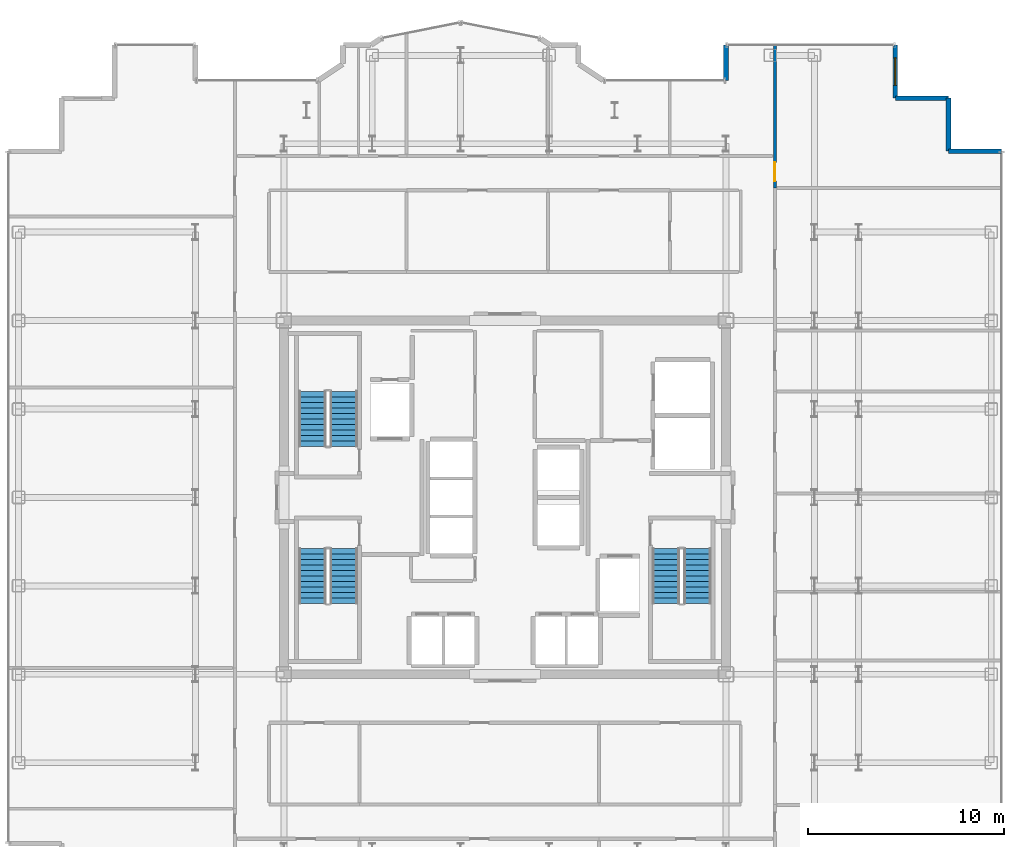
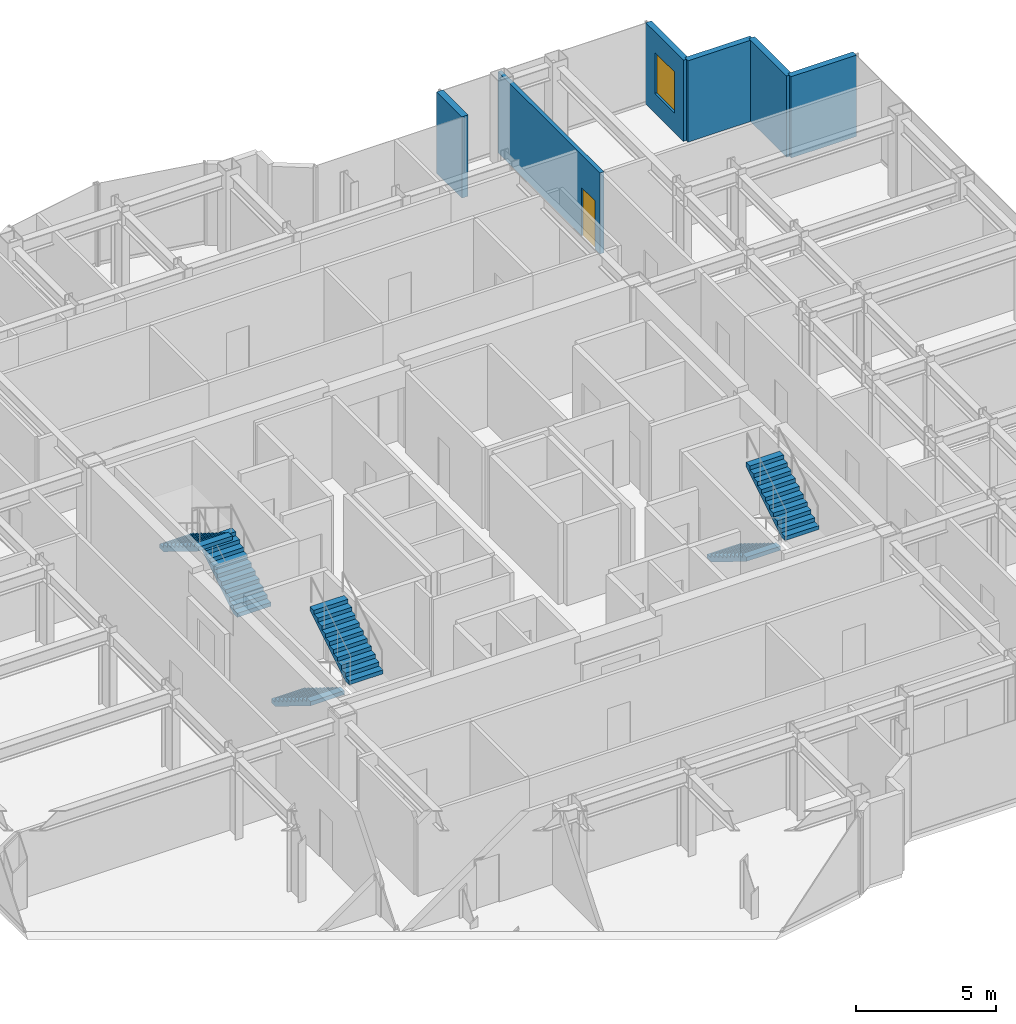
# One storey, part 19 of 20: 6 stair flights, 6 walls, 1 door, 1 window, 2 openings, 3 elements without a shape of their own.
"""IFC4 building model written with IfcOpenShell, lengths in metres."""

from ifc_helpers import new_model, si_unit, direction, frame, frame_2d, origin, place, context, subcontext, project, spatial, polyline, rectangle, outline, extrude, source, transform, mapped, material, layer, layer_set, type_object, element, fill, aggregate, save


model = new_model("IFC4")

# Units and contexts
model_context = context("Model", 3, precision=1e-05, world=origin(), true_north=direction((0.0, 1.0)))
body_context = subcontext(model_context, "Body", "Model", "MODEL_VIEW")
ifc_project = project(units=[si_unit("LENGTHUNIT", "METRE"), si_unit("AREAUNIT", "SQUARE_METRE"), si_unit("VOLUMEUNIT", "CUBIC_METRE"), si_unit("PLANEANGLEUNIT", "RADIAN"), si_unit("MASSUNIT", "GRAM", prefix="KILO")], contexts=[model_context])

# Site, building, storey
site_placement = place(None, origin())
site = spatial("IfcSite", under=ifc_project, at=site_placement, CompositionType="ELEMENT")
building_placement = place(site_placement, origin())
building = spatial("IfcBuilding", under=site, at=building_placement, Name="Nefas-Gora Pilgrimage Tower", CompositionType="ELEMENT")
storey_placement = place(building_placement, frame((0.0, 0.0, 244.60009765625)))
storey = spatial("IfcBuildingStorey", under=building, at=storey_placement, Name="L61", CompositionType="ELEMENT", Elevation=244.60009765625)

# Walls
ifc_material_1 = material(Name="Precast concrete C40/50", Category="concrete")
ifc_layer_1 = layer(ifc_material_1, 0.260009765625)
ifc_layer_set_1 = layer_set([ifc_layer_1], Name="Precast concrete C40/50")
wall_type_1 = type_object("IfcWallType", Name="EW-PORTAL-260", PredefinedType="SOLIDWALL", material=ifc_layer_set_1)
shared_shape_1 = source(origin(), body_context, "Body", "SweptSolid", [
    extrude(rectangle(XDim=1.800048828125, YDim=0.260009765625, at=frame_2d((0.89990234375, 0.0))), origin(), (0.0, 0.0, 1.0), 3.5498046875),
])
wall_1_placement = place(storey_placement, frame((11.25, 23.02001953125, 0.0), z_axis=(0.0, 0.0, 1.0), x_axis=(0.0, -1.0, 0.0)))
element("IfcWall", 1, at=wall_1_placement, inside=storey, type_object=wall_type_1, Name="L61 Lobe Shoulder Precast Spandrel Pier 10", PredefinedType="SOLIDWALL", context=body_context, shape_type="MappedRepresentation", body=[
    mapped(shared_shape_1, transform((0.0, 0.0, 0.0), x_axis=(1.0, 0.0, 0.0), y_axis=(0.0, 1.0, 0.0), z_axis=(0.0, 0.0, 1.0), scale=1.0)),
])
ifc_material_2 = material(Name="Precast concrete C45/55", Category="concrete")
ifc_layer_2 = layer(ifc_material_2, 0.239990234375)
ifc_layer_set_2 = layer_set([ifc_layer_2], Name="Precast concrete C45/55")
wall_type_2 = type_object("IfcWallType", Name="EW-SERR-240", PredefinedType="SHEAR", material=ifc_layer_set_2)
shared_shape_2 = source(origin(), body_context, "Body", "SweptSolid", [
    extrude(rectangle(XDim=2.699951171875, YDim=0.239990234375, at=frame_2d((1.35009765625, 0.0))), origin(), (0.0, 0.0, 1.0), 3.5498046875),
])
for number, where, z_axis, x_axis, name in (
    (2, (25.27001953125, 17.6201171875, 0.0), (0.0, 0.0, 1.0), (-1.0, 0.0, 0.0), "L61 Serrated Corner Shear Pier Wall 6"),
    (3, (22.570068359375, 17.6201171875, 0.0), (0.0, 0.0, 1.0), (0.0, 1.0, 0.0), "L61 Serrated Corner Shear Pier Wall 7"),
    (4, (22.570068359375, 20.320068359375, 0.0), (0.0, 0.0, 1.0), (-1.0, 0.0, 0.0), "L61 Serrated Corner Shear Pier Wall 8"),
):
    element("IfcWall", number, at=place(storey_placement, frame(where, z_axis=z_axis, x_axis=x_axis)), inside=storey, type_object=wall_type_2, Name=name, PredefinedType="SHEAR", context=body_context, shape_type="MappedRepresentation", body=[
        mapped(shared_shape_2, transform((0.0, 0.0, 0.0), x_axis=(1.0, 0.0, 0.0), y_axis=(0.0, 1.0, 0.0), z_axis=(0.0, 0.0, 1.0), scale=1.0)),
    ])

# Wall, opening, window
wall_2_placement = place(storey_placement, frame((19.8701171875, 20.320068359375, 0.0), z_axis=(0.0, 0.0, 1.0), x_axis=(0.0, 1.0, 0.0)))
wall_2 = element("IfcWall", 5, at=wall_2_placement, inside=storey, type_object=wall_type_2, Name="L61 Serrated Corner Shear Pier Wall 9", PredefinedType="SHEAR", context=body_context, shape_type="MappedRepresentation", body=[
    mapped(shared_shape_2, transform((0.0, 0.0, 0.0), x_axis=(1.0, 0.0, 0.0), y_axis=(0.0, 1.0, 0.0), z_axis=(0.0, 0.0, 1.0), scale=1.0)),
])
opening_1_placement = place(wall_2_placement, frame((0.64990234375, 0.0, 0.85009765625)))
opening_1 = element("IfcOpeningElement", 6, at=opening_1_placement, cuts=wall_2, Name="Opening W-V2", PredefinedType="OPENING", context=body_context, shape_type="SweptSolid", body=[
    extrude(rectangle(XDim=1.39990234375, YDim=1.800048828125, at=frame_2d((0.699951171875, 0.89990234375))), frame((0.0, 0.1298828125, 0.0), z_axis=(0.0, -1.0, 0.0), x_axis=(1.0, 0.0, 0.0)), (0.0, 0.0, 1.0), 0.260009765625),
])
ifc_material_3 = material(Name="Dark ceramic-fritted operable aluminium-glass window", Category="aluminium")
window_type = type_object("IfcWindowType", Name="WIN-VENT-1400x1800", PartitioningType="SINGLE_PANEL", PredefinedType="WINDOW", material=ifc_material_3)
shared_shape_3 = source(origin(), body_context, "Body", "SweptSolid", [
    extrude(rectangle(XDim=1.39990234375, YDim=1.800048828125, at=frame_2d((0.699951171875, 0.89990234375))), frame((0.0, 0.030029296875, 0.0), z_axis=(0.0, -1.0, 0.0), x_axis=(1.0, 0.0, 0.0)), (0.0, 0.0, 1.0), 0.06005859375),
])
window_placement = place(opening_1_placement, origin())
window = element("IfcWindow", 7, at=window_placement, inside=storey, type_object=window_type, Name="L61 Operable Parallel-Outswing Window 9", OverallHeight=1.800048828125, OverallWidth=1.39990234375, PartitioningType="SINGLE_PANEL", PredefinedType="WINDOW", context=body_context, shape_type="MappedRepresentation", body=[
    mapped(shared_shape_3, transform((0.0, 0.0, 0.0), x_axis=(1.0, 0.0, 0.0), y_axis=(0.0, 1.0, 0.0), z_axis=(0.0, 0.0, 1.0), scale=1.0)),
])
fill(opening_1, window)

# Wall, opening, door
ifc_material_4 = material(Name="Gypsum acoustic stud partition")
ifc_layer_3 = layer(ifc_material_4, 0.159912109375)
ifc_layer_set_3 = layer_set([ifc_layer_3], Name="Gypsum acoustic stud partition")
wall_type_3 = type_object("IfcWallType", Name="IW-CORR-160", PredefinedType="PARTITIONING", material=ifc_layer_set_3)
shared_shape_4 = source(origin(), body_context, "Body", "SweptSolid", [
    extrude(rectangle(XDim=7.302490234375, YDim=0.159912109375, at=frame_2d((3.6513671875, 0.0))), origin(), (0.0, 0.0, 1.0), 3.534912109375),
])
wall_3_placement = place(storey_placement, frame((13.739990234375, 15.737548828125, 0.0), z_axis=(0.0, 0.0, 1.0), x_axis=(0.0, 1.0, 0.0)))
wall_3 = element("IfcWall", 8, at=wall_3_placement, inside=storey, type_object=wall_type_3, Name="L61 Pilgrim Contemplative Lounge Partition Wall 49", PredefinedType="PARTITIONING", context=body_context, shape_type="MappedRepresentation", body=[
    mapped(shared_shape_4, transform((0.0, 0.0, 0.0), x_axis=(1.0, 0.0, 0.0), y_axis=(0.0, 1.0, 0.0), z_axis=(0.0, 0.0, 1.0), scale=1.0)),
])
opening_2_placement = place(wall_3_placement, frame((0.361328125, 0.0, 0.0)))
opening_2 = element("IfcOpeningElement", 9, at=opening_2_placement, cuts=wall_3, Name="Opening ID-GR1", PredefinedType="OPENING", context=body_context, shape_type="SweptSolid", body=[
    extrude(rectangle(XDim=0.949951171875, YDim=2.10009765625, at=frame_2d((0.47509765625, 1.050048828125))), frame((0.0, 0.08984375, 0.0), z_axis=(0.0, -1.0, 0.0), x_axis=(1.0, 0.0, 0.0)), (0.0, 0.0, 1.0), 0.179931640625),
])
ifc_material_5 = material(Name="Solid core oak fire-rated guest entrance door")
door_type = type_object("IfcDoorType", Name="DR-INT-GUEST-950", OperationType="NOTDEFINED", PredefinedType="DOOR", material=ifc_material_5)
shared_shape_5 = source(origin(), body_context, "Body", "SweptSolid", [
    extrude(rectangle(XDim=0.949951171875, YDim=2.10009765625, at=frame_2d((0.47509765625, 1.050048828125))), frame((0.0, 0.02490234375, 0.0), z_axis=(0.0, -1.0, 0.0), x_axis=(1.0, 0.0, 0.0)), (0.0, 0.0, 1.0), 0.050048828125),
])
door_placement = place(opening_2_placement, origin())
door = element("IfcDoor", 10, at=door_placement, inside=storey, type_object=door_type, Name="L61 Pilgrim Contemplative Lounge Door 22", OperationType="SINGLE_SWING_RIGHT", OverallHeight=2.10009765625, OverallWidth=0.949951171875, PredefinedType="DOOR", context=body_context, shape_type="MappedRepresentation", body=[
    mapped(shared_shape_5, transform((0.0, 0.0, 0.0), x_axis=(1.0, 0.0, 0.0), y_axis=(0.0, 1.0, 0.0), z_axis=(0.0, 0.0, 1.0), scale=1.0)),
])
fill(opening_2, door)

# Stair, stair flights
ifc_material_6 = material(Name="Concrete C45/55", Category="concrete")
stair_type = type_object("IfcStairType", Name="STR-1400-R1727", PredefinedType="HALF_TURN_STAIR", material=ifc_material_6)
stair_1_placement = place(storey_placement, origin())
stair_1 = element("IfcStair", 11, at=stair_1_placement, inside=storey, type_object=stair_type, Name="L61 Pressurised Tower Exit Stair ST-01", PredefinedType="HALF_TURN_STAIR")
stair_flight_type = type_object("IfcStairFlightType", Name="STF-1400-R1727", PredefinedType="STRAIGHT", material=ifc_material_6)
shared_shape_6 = source(origin(), body_context, "Body", "SweptSolid", [
    extrude(outline(polyline([(0.0, 0.0), (0.0, 0.172607421875), (0.280029296875, 0.172607421875), (0.280029296875, 0.345458984375), (0.56005859375, 0.345458984375), (0.56005859375, 0.51806640625), (0.840087890625, 0.51806640625), (0.840087890625, 0.69091796875), (1.1201171875, 0.69091796875), (1.1201171875, 0.863525390625), (1.39990234375, 0.863525390625), (1.39990234375, 1.036376953125), (1.679931640625, 1.036376953125), (1.679931640625, 1.208984375), (1.9599609375, 1.208984375), (1.9599609375, 1.3818359375), (2.239990234375, 1.3818359375), (2.239990234375, 1.554443359375), (2.52001953125, 1.554443359375), (2.52001953125, 1.727294921875), (2.800048828125, 1.727294921875), (2.800048828125, 1.89990234375), (2.800048828125, 1.551025390625), (0.285400390625, 0.0), (0.0, 0.0)])), frame((0.0, 0.699951171875, 0.0), z_axis=(0.0, -1.0, 0.0), x_axis=(1.0, 0.0, 0.0)), (0.0, 0.0, 1.0), 1.39990234375),
])
stair_flight_1_placement = place(storey_placement, frame((-8.199951171875, 2.60009765625, 0.0), z_axis=(0.0, 0.0, 1.0), x_axis=(0.0, 1.0, 0.0)))
stair_flight_1 = element("IfcStairFlight", 12, at=stair_flight_1_placement, type_object=stair_flight_type, Name="ST-01 flight 1", NumberOfRisers=11, NumberOfTreads=10, PredefinedType="STRAIGHT", RiserHeight=0.172727273, TreadLength=0.28, context=body_context, shape_type="MappedRepresentation", body=[
    mapped(shared_shape_6, transform((0.0, 0.0, 0.0), x_axis=(1.0, 0.0, 0.0), y_axis=(0.0, 1.0, 0.0), z_axis=(0.0, 0.0, 1.0), scale=1.0)),
])
stair_flight_2_placement = place(storey_placement, frame((-9.800048828125, 5.39990234375, 1.89990234375), z_axis=(0.0, 0.0, 1.0), x_axis=(0.0, -1.0, 0.0)))
stair_flight_2 = element("IfcStairFlight", 13, at=stair_flight_2_placement, type_object=stair_flight_type, Name="ST-01 flight 2", NumberOfRisers=11, NumberOfTreads=10, PredefinedType="STRAIGHT", RiserHeight=0.172727273, TreadLength=0.28, context=body_context, shape_type="MappedRepresentation", body=[
    mapped(shared_shape_6, transform((0.0, 0.0, 0.0), x_axis=(1.0, 0.0, 0.0), y_axis=(0.0, 1.0, 0.0), z_axis=(0.0, 0.0, 1.0), scale=1.0)),
])
aggregate(stair_1, [stair_flight_1, stair_flight_2])

stair_2_placement = place(storey_placement, origin())
stair_2 = element("IfcStair", 14, at=stair_2_placement, inside=storey, type_object=stair_type, Name="L61 Pressurised Tower Exit Stair ST-02", PredefinedType="HALF_TURN_STAIR")
stair_flight_3_placement = place(storey_placement, frame((8.199951171875, -2.60009765625, 0.0), z_axis=(0.0, 0.0, 1.0), x_axis=(0.0, -1.0, 0.0)))
stair_flight_3 = element("IfcStairFlight", 15, at=stair_flight_3_placement, type_object=stair_flight_type, Name="ST-02 flight 1", NumberOfRisers=11, NumberOfTreads=10, PredefinedType="STRAIGHT", RiserHeight=0.172727273, TreadLength=0.28, context=body_context, shape_type="MappedRepresentation", body=[
    mapped(shared_shape_6, transform((0.0, 0.0, 0.0), x_axis=(1.0, 0.0, 0.0), y_axis=(0.0, 1.0, 0.0), z_axis=(0.0, 0.0, 1.0), scale=1.0)),
])
stair_flight_4_placement = place(storey_placement, frame((9.800048828125, -5.39990234375, 1.89990234375), z_axis=(0.0, 0.0, 1.0), x_axis=(0.0, 1.0, 0.0)))
stair_flight_4 = element("IfcStairFlight", 16, at=stair_flight_4_placement, type_object=stair_flight_type, Name="ST-02 flight 2", NumberOfRisers=11, NumberOfTreads=10, PredefinedType="STRAIGHT", RiserHeight=0.172727273, TreadLength=0.28, context=body_context, shape_type="MappedRepresentation", body=[
    mapped(shared_shape_6, transform((0.0, 0.0, 0.0), x_axis=(1.0, 0.0, 0.0), y_axis=(0.0, 1.0, 0.0), z_axis=(0.0, 0.0, 1.0), scale=1.0)),
])
aggregate(stair_2, [stair_flight_3, stair_flight_4])

stair_3_placement = place(storey_placement, origin())
stair_3 = element("IfcStair", 17, at=stair_3_placement, inside=storey, type_object=stair_type, Name="L61 Pressurised Tower Exit Stair ST-03", PredefinedType="HALF_TURN_STAIR")
stair_flight_5_placement = place(storey_placement, frame((-9.800048828125, -2.60009765625, 0.0), z_axis=(0.0, 0.0, 1.0), x_axis=(0.0, -1.0, 0.0)))
stair_flight_5 = element("IfcStairFlight", 18, at=stair_flight_5_placement, type_object=stair_flight_type, Name="ST-03 flight 1", NumberOfRisers=11, NumberOfTreads=10, PredefinedType="STRAIGHT", RiserHeight=0.172727273, TreadLength=0.28, context=body_context, shape_type="MappedRepresentation", body=[
    mapped(shared_shape_6, transform((0.0, 0.0, 0.0), x_axis=(1.0, 0.0, 0.0), y_axis=(0.0, 1.0, 0.0), z_axis=(0.0, 0.0, 1.0), scale=1.0)),
])
stair_flight_6_placement = place(storey_placement, frame((-8.199951171875, -5.39990234375, 1.89990234375), z_axis=(0.0, 0.0, 1.0), x_axis=(0.0, 1.0, 0.0)))
stair_flight_6 = element("IfcStairFlight", 19, at=stair_flight_6_placement, type_object=stair_flight_type, Name="ST-03 flight 2", NumberOfRisers=11, NumberOfTreads=10, PredefinedType="STRAIGHT", RiserHeight=0.172727273, TreadLength=0.28, context=body_context, shape_type="MappedRepresentation", body=[
    mapped(shared_shape_6, transform((0.0, 0.0, 0.0), x_axis=(1.0, 0.0, 0.0), y_axis=(0.0, 1.0, 0.0), z_axis=(0.0, 0.0, 1.0), scale=1.0)),
])
aggregate(stair_3, [stair_flight_5, stair_flight_6])

save(model, "model.ifc")
